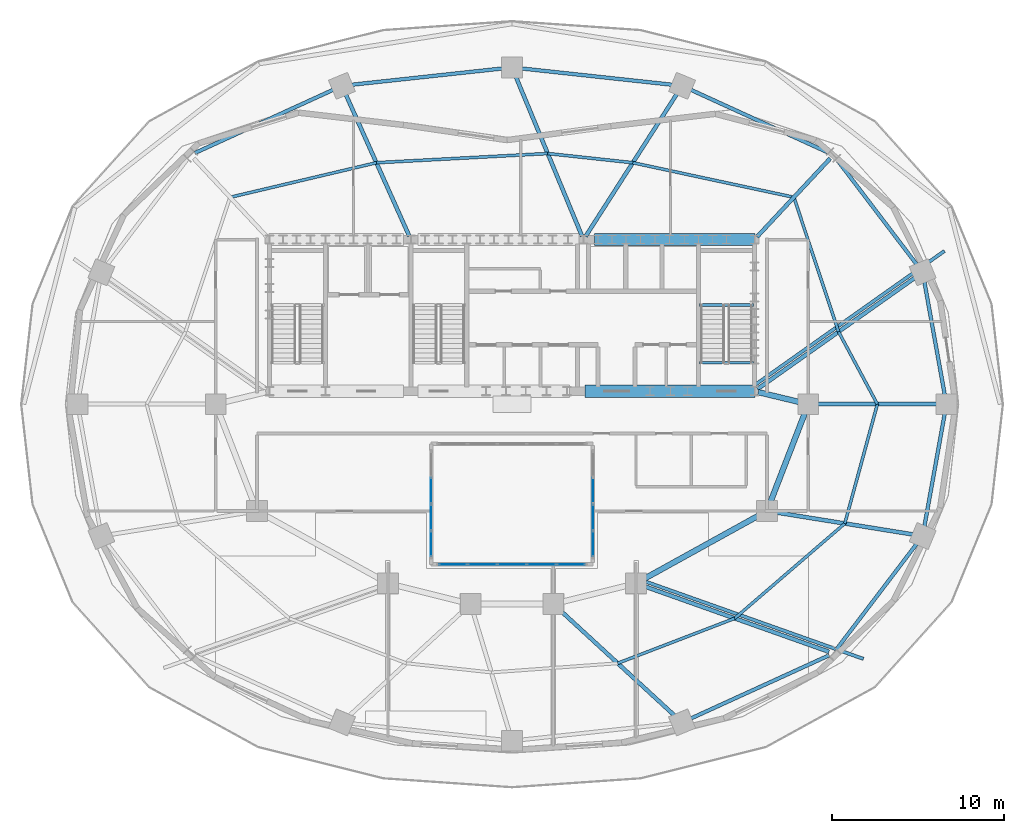
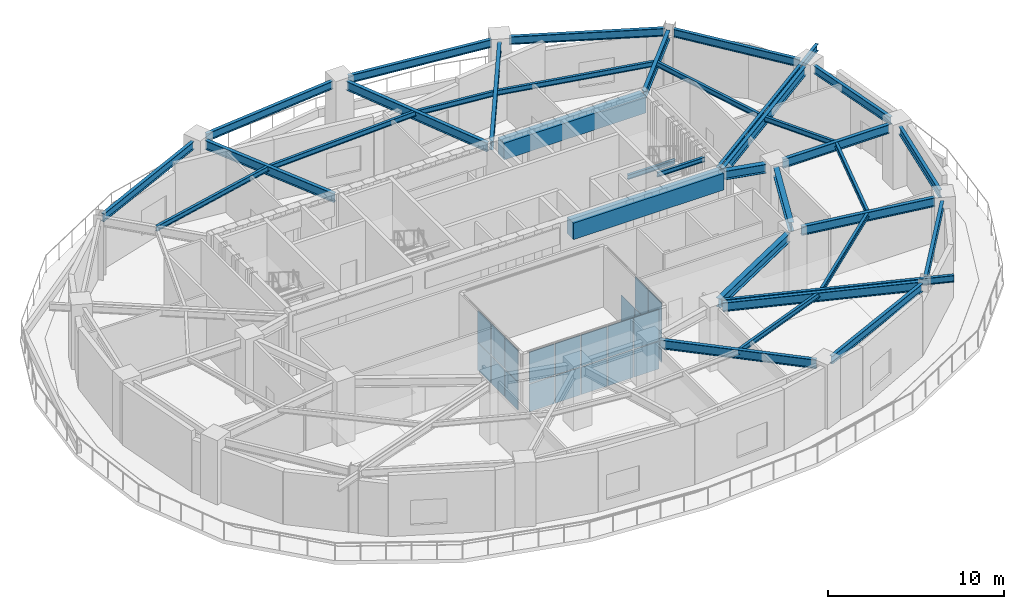
# One storey, part 4 of 11: 36 beams, 21 plates, 3 elements without a shape of their own.
"""IFC4 building model written with IfcOpenShell, lengths in metres."""

import ifcopenshell
import ifcopenshell.guid

model = None  # the IFC model being written
_history = None  # IfcOwnerHistory: only IFC2X3 demands one
_inside = {}  # id of a spatial element -> (the spatial element, [elements in it])
_under = {}  # id of a project, library or spatial element -> (it, [spatial elements below it])
_declared = {}  # id of a project -> (the project, [libraries it declares])
_typed = {}  # id of a type object -> (the type object, [elements of that type])
_made_of = {}  # id of a material, layer set ... -> (it, [elements and type objects made of it])


def new_model(schema):
    """Start an empty IFC model of exactly this schema.

    Asked for "IFC4X3", IfcOpenShell would pick the latest addendum, in which some entities
    have other attributes; the version numbers below select the first issue.
    IFC2X3 requires an IfcOwnerHistory on every rooted entity: one is made here for all.
    """
    global model, _history
    if schema == "IFC4X3":
        model = ifcopenshell.file(schema_version=(4, 3, 0, 0))
    else:
        model = ifcopenshell.file(schema=schema)
    _inside.clear()
    _under.clear()
    _declared.clear()
    _typed.clear()
    _made_of.clear()
    _history = None
    if model.schema == "IFC2X3":
        org = make("IfcOrganization", Name="unknown")
        user = make(
            "IfcPersonAndOrganization",
            ThePerson=make("IfcPerson", FamilyName="unknown"),
            TheOrganization=org,
        )
        app = make(
            "IfcApplication",
            ApplicationDeveloper=org,
            Version="unknown",
            ApplicationFullName="unknown",
            ApplicationIdentifier="unknown",
        )
        _history = make(
            "IfcOwnerHistory",
            OwningUser=user,
            OwningApplication=app,
            ChangeAction="ADDED",
            CreationDate=0,
        )
    return model


def make(cls, **values):
    """One entity of the class cls with the attributes given. An attribute that is None is left unset."""
    return model.create_entity(
        cls, **{name: value for name, value in values.items() if value is not None}
    )


def rooted(cls, **values):
    """An entity with a GlobalId (a new one), such as an element, a storey or a relation."""
    return make(cls, GlobalId=ifcopenshell.guid.new(), OwnerHistory=_history, **values)


def si_unit(unit_type, name, prefix=None):
    """IfcSIUnit, for example si_unit("LENGTHUNIT", "METRE", prefix="MILLI")."""
    return make("IfcSIUnit", UnitType=unit_type, Prefix=prefix, Name=name)


def assignment(units):
    """IfcUnitAssignment: the units of a project."""
    return None if units is None else make("IfcUnitAssignment", Units=units)


def point(xyz):
    """IfcCartesianPoint."""
    return None if xyz is None else make("IfcCartesianPoint", Coordinates=xyz)


def direction(xyz):
    """IfcDirection."""
    return None if xyz is None else make("IfcDirection", DirectionRatios=xyz)


def frame(location, z_axis=None, x_axis=None):
    """IfcAxis2Placement3D, a coordinate frame: its origin and axes. An axis left out is left unset."""
    return make(
        "IfcAxis2Placement3D",
        Location=point(location),
        Axis=direction(z_axis),
        RefDirection=direction(x_axis),
    )


def frame_2d(location, x_axis=None):
    """IfcAxis2Placement2D, a coordinate frame in the plane: its origin and x axis."""
    return make(
        "IfcAxis2Placement2D", Location=point(location), RefDirection=direction(x_axis)
    )


def origin():
    """The frame at (0, 0, 0) with its axes left unset."""
    return frame((0.0, 0.0, 0.0))


def origin_2d():
    """The frame at (0, 0) in the plane with its x axis left unset."""
    return frame_2d((0.0, 0.0))


def place(relative_to, where):
    """IfcLocalPlacement: puts the frame where relative to a parent placement (None: the world)."""
    return make(
        "IfcLocalPlacement", PlacementRelTo=relative_to, RelativePlacement=where
    )


def context(
    kind, dimensions, precision=None, world=None, true_north=None, identifier=None
):
    """IfcGeometricRepresentationContext, for example the 3D "Model" context."""
    return make(
        "IfcGeometricRepresentationContext",
        ContextIdentifier=identifier,
        ContextType=kind,
        CoordinateSpaceDimension=dimensions,
        Precision=precision,
        WorldCoordinateSystem=world,
        TrueNorth=true_north,
    )


def subcontext(parent, identifier, kind, view, scale=None):
    """IfcGeometricRepresentationSubContext, for example "Body" below "Model"."""
    return make(
        "IfcGeometricRepresentationSubContext",
        ContextIdentifier=identifier,
        ContextType=kind,
        ParentContext=parent,
        TargetScale=scale,
        TargetView=view,
    )


def project(units=None, contexts=None):
    """IfcProject with its units and contexts."""
    return rooted(
        "IfcProject",
        Name="project",
        RepresentationContexts=contexts,
        UnitsInContext=assignment(units),
    )


def spatial(cls, under=None, at=None, **own):
    """A site, building, storey or space (cls), placed at a placement, below another one or the project."""
    s = rooted(cls, ObjectPlacement=at, **own)
    if under is not None:
        _under.setdefault(under.id(), (under, []))[1].append(s)
    return s


def profile(cls, at=None, kind="AREA", **sizes):
    """A parametric profile (cls). Its sizes go by their IFC names, for example OverallWidth=200.0."""
    return make(cls, ProfileType=kind, Position=at, **sizes)


def rectangle(**sizes):
    """IfcRectangleProfileDef."""
    return profile("IfcRectangleProfileDef", **sizes)


def i_section(**sizes):
    """IfcIShapeProfileDef."""
    return profile("IfcIShapeProfileDef", **sizes)


def extrude(swept, where, along, depth):
    """IfcExtrudedAreaSolid: the profile swept, set in the frame where, extruded along a direction by depth."""
    return make(
        "IfcExtrudedAreaSolid",
        SweptArea=swept,
        Position=where,
        ExtrudedDirection=direction(along),
        Depth=depth,
    )


def shape(context_of_items, identifier, shape_type, items):
    """IfcShapeRepresentation: the items that make up one representation, for example the "Body"."""
    return make(
        "IfcShapeRepresentation",
        ContextOfItems=context_of_items,
        RepresentationIdentifier=identifier,
        RepresentationType=shape_type,
        Items=items,
    )


def material(Name=None, Category=None):
    """IfcMaterial."""
    return make("IfcMaterial", Name=Name, Category=Category)


def layer(
    of_material, thickness, ventilated=None, Name=None, Category=None, Priority=None
):
    """IfcMaterialLayer: one layer of a wall or slab, of a material (None: an air gap)."""
    return make(
        "IfcMaterialLayer",
        Material=of_material,
        LayerThickness=thickness,
        IsVentilated=ventilated,
        Name=Name,
        Category=Category,
        Priority=Priority,
    )


def layer_set(layers, Name=None):
    """IfcMaterialLayerSet."""
    return make("IfcMaterialLayerSet", MaterialLayers=layers, LayerSetName=Name)


def material_profile(
    of_material, cross_section, Name=None, Category=None, Priority=None
):
    """IfcMaterialProfile: a cross section and its material."""
    return make(
        "IfcMaterialProfile",
        Name=Name,
        Material=of_material,
        Profile=cross_section,
        Priority=Priority,
        Category=Category,
    )


def profile_set(profiles, Name=None, composite=None):
    """IfcMaterialProfileSet."""
    return make(
        "IfcMaterialProfileSet",
        Name=Name,
        MaterialProfiles=profiles,
        CompositeProfile=composite,
    )


def made_of(thing, what):
    """Note that an element or type object is made of a material, layer set ...; save() writes the relation."""
    if what is not None:
        _made_of.setdefault(what.id(), (what, []))[1].append(thing)
    return thing


def type_object(cls, material=None, **own):
    """A type object (cls), such as IfcWallType, which elements share."""
    return made_of(rooted(cls, **own), material)


def element(
    cls,
    number,
    at=None,
    inside=None,
    cuts=None,
    type_object=None,
    material=None,
    context=None,
    identifier="Body",
    shape_type=None,
    held_by="IfcProductDefinitionShape",
    body=None,
    shapes=None,
    **own,
):
    """One element of the class cls, such as IfcWall. Its Tag is "e" and its number.

    at: its placement. inside: the storey or other place that contains it. cuts: it is an
    opening in that element (IfcRelVoidsElement). A single representation is given by context,
    identifier, shape_type and body (its items); several are given by shapes. held_by: the class
    of the entity that holds the representations. save() writes the other relations.
    """
    e = rooted(cls, Tag="e%d" % number, ObjectPlacement=at, **own)
    if body is not None:
        shapes = [shape(context, identifier, shape_type, body)]
    if shapes is not None:
        e.Representation = make(held_by, Representations=shapes)
    if inside is not None:
        _inside.setdefault(inside.id(), (inside, []))[1].append(e)
    if cuts is not None:
        rooted(
            "IfcRelVoidsElement", RelatingBuildingElement=cuts, RelatedOpeningElement=e
        )
    if type_object is not None:
        _typed.setdefault(type_object.id(), (type_object, []))[1].append(e)
    return made_of(e, material)


def aggregate(whole, parts):
    """IfcRelAggregates: a whole, such as a stair, and the parts it consists of."""
    return rooted("IfcRelAggregates", RelatingObject=whole, RelatedObjects=parts)


def save(model, path):
    """Write the relations noted so far, then the file.

    IfcRelAggregates (storeys below a building ...), IfcRelContainedInSpatialStructure (elements
    in a storey), IfcRelDefinesByType, IfcRelAssociatesMaterial and IfcRelDeclares: one each for
    every whole, place, type object, material and project.
    """
    for whole, parts in _under.values():
        aggregate(whole, parts)
    for where, things in _inside.values():
        rooted(
            "IfcRelContainedInSpatialStructure",
            RelatedElements=things,
            RelatingStructure=where,
        )
    for kind, things in _typed.values():
        rooted("IfcRelDefinesByType", RelatedObjects=things, RelatingType=kind)
    for what, things in _made_of.values():
        rooted("IfcRelAssociatesMaterial", RelatedObjects=things, RelatingMaterial=what)
    for by, libraries in _declared.values():
        rooted("IfcRelDeclares", RelatingContext=by, RelatedDefinitions=libraries)
    model.write(path)


model = new_model("IFC4")

# Units and contexts
model_context = context("Model", 3, precision=1e-05, world=origin(), true_north=direction((0.0, 1.0)))
body_context = subcontext(model_context, "Body", "Model", "MODEL_VIEW")
ifc_project = project(units=[si_unit("LENGTHUNIT", "METRE"), si_unit("AREAUNIT", "SQUARE_METRE"), si_unit("VOLUMEUNIT", "CUBIC_METRE"), si_unit("PLANEANGLEUNIT", "RADIAN"), si_unit("MASSUNIT", "GRAM", prefix="KILO")], contexts=[model_context])

# Site, building, storey
site_placement = place(None, origin())
site = spatial("IfcSite", under=ifc_project, at=site_placement, CompositionType="ELEMENT")
building_placement = place(site_placement, origin())
building = spatial("IfcBuilding", under=site, at=building_placement, Name="Haldorwick Loom Tower", CompositionType="ELEMENT")
storey_placement = place(building_placement, frame((0.0, 0.0, 131.14990234375)))
storey = spatial("IfcBuildingStorey", under=building, at=storey_placement, Name="L35", CompositionType="ELEMENT", Elevation=131.14990234375)

# Beams
ifc_material_1 = material(Name="Steel CSA G40.21 350W", Category="steel")
ifc_material_profile_1 = material_profile(ifc_material_1, i_section(OverallWidth=0.193115234375, OverallDepth=0.466064453125, WebThickness=0.011474609375, FlangeThickness=0.01904296875, at=origin_2d()), Name="W460X97", Category="steel")
ifc_profile_set_1 = profile_set([ifc_material_profile_1], Name="Steel CSA G40.21 350W")
beam_type_1 = type_object("IfcBeamType", Name="STR-BM-BAL460", PredefinedType="BEAM", material=ifc_profile_set_1)
beam_1_placement = place(storey_placement, frame((43.78369140625, 15.68994140625, 4.027099609375), z_axis=(0.942447955832, -0.334352883266, 0.0), x_axis=(0.334352883266, 0.942447955832, 0.0)))
element("IfcBeam", 1, at=beam_1_placement, inside=storey, type_object=beam_type_1, Name="L35 Continuous Back-Spanned Balcony Beam 1", PredefinedType="BEAM", context=body_context, shape_type="SweptSolid", body=[
    extrude(i_section(OverallWidth=0.193115234375, OverallDepth=0.466064453125, WebThickness=0.011474609375, FlangeThickness=0.01904296875, at=origin_2d()), origin(), (0.0, 0.0, 1.0), 13.385009765625),
])
beam_2_placement = place(storey_placement, frame((50.092041015625, 27.1083984375, 4.027099609375), z_axis=(0.816570288691, 0.577246016554, 0.0), x_axis=(-0.577246016554, 0.816570288691, 0.0)))
element("IfcBeam", 2, at=beam_2_placement, inside=storey, type_object=beam_type_1, Name="L35 Continuous Back-Spanned Balcony Beam 4", PredefinedType="BEAM", context=body_context, shape_type="SweptSolid", body=[
    extrude(i_section(OverallWidth=0.193115234375, OverallDepth=0.466064453125, WebThickness=0.011474609375, FlangeThickness=0.01904296875, at=origin_2d()), origin(), (0.0, 0.0, 1.0), 13.485107421875),
])
ifc_material_2 = material(Name="Concrete C60 (60 MPa)", Category="concrete")
ifc_material_profile_2 = material_profile(ifc_material_2, rectangle(XDim=0.699951171875, YDim=1.14990234375, at=origin_2d()), Name="RC700X1150", Category="concrete")
ifc_profile_set_2 = profile_set([ifc_material_profile_2], Name="Concrete C60 (60 MPa)")
beam_type_2 = type_object("IfcBeamType", Name="STR-BM-CB1150", PredefinedType="LINTEL", material=ifc_profile_set_2)
beam_3_placement = place(storey_placement, frame((40.800048828125, 35.550048828125, 3.68505859375), z_axis=(1.0, 0.0, 0.0), x_axis=(0.0, 1.0, 0.0)))
element("IfcBeam", 3, at=beam_3_placement, inside=storey, type_object=beam_type_2, Name="L35 Core Coupling Beam CB-N3", PredefinedType="LINTEL", context=body_context, shape_type="SweptSolid", body=[
    extrude(rectangle(XDim=0.699951171875, YDim=1.14990234375, at=origin_2d()), origin(), (0.0, 0.0, 1.0), 9.300048828125),
])
beam_4_placement = place(storey_placement, frame((40.25, 26.75, 3.68505859375), z_axis=(1.0, 0.0, 0.0), x_axis=(0.0, 1.0, 0.0)))
element("IfcBeam", 4, at=beam_4_placement, inside=storey, type_object=beam_type_2, Name="L35 Core Coupling Beam CB-S3", PredefinedType="LINTEL", context=body_context, shape_type="SweptSolid", body=[
    extrude(rectangle(XDim=0.699951171875, YDim=1.14990234375, at=origin_2d()), origin(), (0.0, 0.0, 1.0), 9.85009765625),
])
ifc_material_profile_3 = material_profile(ifc_material_1, i_section(OverallWidth=0.172119140625, OverallDepth=0.35791015625, WebThickness=0.0078125, FlangeThickness=0.01318359375, at=origin_2d()), Name="W360X57", Category="steel")
ifc_profile_set_3 = profile_set([ifc_material_profile_3], Name="Steel CSA G40.21 350W")
beam_type_3 = type_object("IfcBeamType", Name="STR-BM-J360", PredefinedType="JOIST", material=ifc_profile_set_3)
beam_5_placement = place(storey_placement, frame((57.20849609375, 26.0, 4.0810546875), z_axis=(-0.472930162238, 0.881099915813, 0.0), x_axis=(-0.881099915813, -0.472930162238, 0.0)))
element("IfcBeam", 5, at=beam_5_placement, inside=storey, type_object=beam_type_3, Name="L35 Mid-Bay Secondary Joist 1", PredefinedType="JOIST", context=body_context, shape_type="SweptSolid", body=[
    extrude(i_section(OverallWidth=0.172119140625, OverallDepth=0.35791015625, WebThickness=0.0078125, FlangeThickness=0.01318359375, at=origin_2d()), origin(), (0.0, 0.0, 1.0), 4.76904296875),
])
beam_6_placement = place(storey_placement, frame((54.953125, 30.201904296875, 4.0810546875), z_axis=(-0.314980632705, 0.949098098734, 0.0), x_axis=(-0.949098098734, -0.314980632705, 0.0)))
element("IfcBeam", 6, at=beam_6_placement, inside=storey, type_object=beam_type_3, Name="L35 Mid-Bay Secondary Joist 2", PredefinedType="JOIST", context=body_context, shape_type="SweptSolid", body=[
    extrude(i_section(OverallWidth=0.172119140625, OverallDepth=0.35791015625, WebThickness=0.0078125, FlangeThickness=0.01318359375, at=origin_2d()), origin(), (0.0, 0.0, 1.0), 8.223876953125),
])
beam_7_placement = place(storey_placement, frame((52.36279296875, 38.007080078125, 4.0810546875), z_axis=(-0.977737366421, 0.209832414808, 0.0), x_axis=(-0.209832414808, -0.977737366421, 0.0)))
element("IfcBeam", 7, at=beam_7_placement, inside=storey, type_object=beam_type_3, Name="L35 Mid-Bay Secondary Joist 3", PredefinedType="JOIST", context=body_context, shape_type="SweptSolid", body=[
    extrude(i_section(OverallWidth=0.172119140625, OverallDepth=0.35791015625, WebThickness=0.0078125, FlangeThickness=0.01318359375, at=origin_2d()), origin(), (0.0, 0.0, 1.0), 9.56396484375),
])
beam_8_placement = place(storey_placement, frame((43.01171875, 40.013916015625, 4.0810546875), z_axis=(-0.994212584227, 0.107430616514, 0.0), x_axis=(-0.107430616514, -0.994212584227, 0.0)))
element("IfcBeam", 8, at=beam_8_placement, inside=storey, type_object=beam_type_3, Name="L35 Mid-Bay Secondary Joist 4", PredefinedType="JOIST", context=body_context, shape_type="SweptSolid", body=[
    extrude(i_section(OverallWidth=0.172119140625, OverallDepth=0.35791015625, WebThickness=0.0078125, FlangeThickness=0.01318359375, at=origin_2d()), origin(), (0.0, 0.0, 1.0), 4.965576171875),
])
beam_9_placement = place(storey_placement, frame((38.074951171875, 40.54736328125, 4.0810546875), z_axis=(-0.998564927415, -0.053554511828, 0.0), x_axis=(0.053554511828, -0.998564927415, 0.0)))
element("IfcBeam", 9, at=beam_9_placement, inside=storey, type_object=beam_type_3, Name="L35 Mid-Bay Secondary Joist 5", PredefinedType="JOIST", context=body_context, shape_type="SweptSolid", body=[
    extrude(i_section(OverallWidth=0.172119140625, OverallDepth=0.35791015625, WebThickness=0.0078125, FlangeThickness=0.01318359375, at=origin_2d()), origin(), (0.0, 0.0, 1.0), 9.9609375),
])
beam_10_placement = place(storey_placement, frame((28.12841796875, 40.013916015625, 4.0810546875), z_axis=(-0.973189168086, -0.230006180612, 0.0), x_axis=(0.230006180612, -0.973189168086, 0.0)))
element("IfcBeam", 10, at=beam_10_placement, inside=storey, type_object=beam_type_3, Name="L35 Mid-Bay Secondary Joist 6", PredefinedType="JOIST", context=body_context, shape_type="SweptSolid", body=[
    extrude(i_section(OverallWidth=0.172119140625, OverallDepth=0.35791015625, WebThickness=0.0078125, FlangeThickness=0.01318359375, at=origin_2d()), origin(), (0.0, 0.0, 1.0), 8.72509765625),
])
beam_11_placement = place(storey_placement, frame((42.13671875, 10.961181640625, 4.0810546875), z_axis=(0.933586737031, 0.358351509609, 0.0), x_axis=(-0.358351509609, 0.933586737031, 0.0)))
element("IfcBeam", 11, at=beam_11_placement, inside=storey, type_object=beam_type_3, Name="L35 Mid-Bay Secondary Joist 14", PredefinedType="JOIST", context=body_context, shape_type="SweptSolid", body=[
    extrude(i_section(OverallWidth=0.172119140625, OverallDepth=0.35791015625, WebThickness=0.0078125, FlangeThickness=0.01318359375, at=origin_2d()), origin(), (0.0, 0.0, 1.0), 7.274169921875),
])
beam_12_placement = place(storey_placement, frame((48.927734375, 13.56787109375, 4.0810546875), z_axis=(0.75763401328, 0.652679631918, 0.0), x_axis=(-0.652679631918, 0.75763401328, 0.0)))
element("IfcBeam", 12, at=beam_12_placement, inside=storey, type_object=beam_type_3, Name="L35 Mid-Bay Secondary Joist 15", PredefinedType="JOIST", context=body_context, shape_type="SweptSolid", body=[
    extrude(i_section(OverallWidth=0.172119140625, OverallDepth=0.35791015625, WebThickness=0.0078125, FlangeThickness=0.01318359375, at=origin_2d()), origin(), (0.0, 0.0, 1.0), 8.4345703125),
])
beam_13_placement = place(storey_placement, frame((55.318115234375, 19.072998046875, 4.0810546875), z_axis=(0.263272762578, 0.964721437766, 0.0), x_axis=(-0.964721437766, 0.263272762578, 0.0)))
element("IfcBeam", 13, at=beam_13_placement, inside=storey, type_object=beam_type_3, Name="L35 Mid-Bay Secondary Joist 16", PredefinedType="JOIST", context=body_context, shape_type="SweptSolid", body=[
    extrude(i_section(OverallWidth=0.172119140625, OverallDepth=0.35791015625, WebThickness=0.0078125, FlangeThickness=0.01318359375, at=origin_2d()), origin(), (0.0, 0.0, 1.0), 7.180419921875),
])
ifc_material_profile_4 = material_profile(ifc_material_1, i_section(OverallWidth=0.2119140625, OverallDepth=0.5439453125, WebThickness=0.01318359375, FlangeThickness=0.021240234375, at=origin_2d()), Name="W530X123", Category="steel")
ifc_profile_set_4 = profile_set([ifc_material_profile_4], Name="Steel CSA G40.21 350W")
beam_type_4 = type_object("IfcBeamType", Name="STR-BM-SP530", PredefinedType="SPANDREL", material=ifc_profile_set_4)
beam_14_placement = place(storey_placement, frame((61.124755859375, 26.51171875, 3.988037109375), z_axis=(-0.177558730702, 0.984110205796, 0.0), x_axis=(-0.984110205796, -0.177558730702, 0.0)))
element("IfcBeam", 14, at=beam_14_placement, inside=storey, type_object=beam_type_4, Name="L35 Perimeter Spandrel 1", PredefinedType="SPANDREL", context=body_context, shape_type="SweptSolid", body=[
    extrude(i_section(OverallWidth=0.2119140625, OverallDepth=0.5439453125, WebThickness=0.01318359375, FlangeThickness=0.021240234375, at=origin_2d()), origin(), (0.0, 0.0, 1.0), 6.737548828125),
])
beam_15_placement = place(storey_placement, frame((59.521240234375, 34.067626953125, 3.988037109375), z_axis=(-0.605421356486, 0.795905133236, 0.0), x_axis=(-0.795905133236, -0.605421356486, 0.0)))
element("IfcBeam", 15, at=beam_15_placement, inside=storey, type_object=beam_type_4, Name="L35 Perimeter Spandrel 2", PredefinedType="SPANDREL", context=body_context, shape_type="SweptSolid", body=[
    extrude(i_section(OverallWidth=0.2119140625, OverallDepth=0.5439453125, WebThickness=0.01318359375, FlangeThickness=0.021240234375, at=origin_2d()), origin(), (0.0, 0.0, 1.0), 7.761962890625),
])
beam_16_placement = place(storey_placement, frame((54.405517578125, 40.57861328125, 3.988037109375), z_axis=(-0.909534296496, 0.415628877121, 0.0), x_axis=(-0.415628877121, -0.909534296496, 0.0)))
element("IfcBeam", 16, at=beam_16_placement, inside=storey, type_object=beam_type_4, Name="L35 Perimeter Spandrel 3", PredefinedType="SPANDREL", context=body_context, shape_type="SweptSolid", body=[
    extrude(i_section(OverallWidth=0.2119140625, OverallDepth=0.5439453125, WebThickness=0.01318359375, FlangeThickness=0.021240234375, at=origin_2d()), origin(), (0.0, 0.0, 1.0), 8.86083984375),
])
for number, where, z_axis, x_axis, name in (
    (17, (45.356201171875, 44.533447265625, 3.988037109375), (-0.994210140187, 0.107453232386, 0.0), (-0.107453232386, -0.994210140187, 0.0), "L35 Perimeter Spandrel 4"),
    (18, (35.48291015625, 45.48876953125, 3.988037109375), (-0.994210140187, -0.107453232386, 0.0), (0.107453232386, -0.994210140187, 0.0), "L35 Perimeter Spandrel 5"),
):
    element("IfcBeam", number, at=place(storey_placement, frame(where, z_axis=z_axis, x_axis=x_axis)), inside=storey, type_object=beam_type_4, Name=name, PredefinedType="SPANDREL", context=body_context, shape_type="SweptSolid", body=[
        extrude(i_section(OverallWidth=0.2119140625, OverallDepth=0.5439453125, WebThickness=0.01318359375, FlangeThickness=0.021240234375, at=origin_2d()), origin(), (0.0, 0.0, 1.0), 8.890625),
    ])
for number, where, z_axis, x_axis, name in (
    (19, (25.65380859375, 44.261474609375, 3.988037109375), (-0.909534296496, -0.415628877121, 0.0), (0.415628877121, -0.909534296496, 0.0), "L35 Perimeter Spandrel 6"),
    (20, (46.34619140625, 7.738525390625, 3.988037109375), (0.909534296496, 0.415628877121, 0.0), (-0.415628877121, 0.909534296496, 0.0), "L35 Perimeter Spandrel 14"),
):
    element("IfcBeam", number, at=place(storey_placement, frame(where, z_axis=z_axis, x_axis=x_axis)), inside=storey, type_object=beam_type_4, Name=name, PredefinedType="SPANDREL", context=body_context, shape_type="SweptSolid", body=[
        extrude(i_section(OverallWidth=0.2119140625, OverallDepth=0.5439453125, WebThickness=0.01318359375, FlangeThickness=0.021240234375, at=origin_2d()), origin(), (0.0, 0.0, 1.0), 8.86083984375),
    ])
beam_17_placement = place(storey_placement, frame((54.822021484375, 11.754638671875, 3.988037109375), z_axis=(0.605421356486, 0.795905133236, 0.0), x_axis=(-0.795905133236, 0.605421356486, 0.0)))
element("IfcBeam", 21, at=beam_17_placement, inside=storey, type_object=beam_type_4, Name="L35 Perimeter Spandrel 15", PredefinedType="SPANDREL", context=body_context, shape_type="SweptSolid", body=[
    extrude(i_section(OverallWidth=0.2119140625, OverallDepth=0.5439453125, WebThickness=0.01318359375, FlangeThickness=0.021240234375, at=origin_2d()), origin(), (0.0, 0.0, 1.0), 7.761962890625),
])
beam_18_placement = place(storey_placement, frame((59.928466796875, 18.85791015625, 3.988037109375), z_axis=(0.177558730702, 0.984110205796, 0.0), x_axis=(-0.984110205796, 0.177558730702, 0.0)))
element("IfcBeam", 22, at=beam_18_placement, inside=storey, type_object=beam_type_4, Name="L35 Perimeter Spandrel 16", PredefinedType="SPANDREL", context=body_context, shape_type="SweptSolid", body=[
    extrude(i_section(OverallWidth=0.2119140625, OverallDepth=0.5439453125, WebThickness=0.01318359375, FlangeThickness=0.021240234375, at=origin_2d()), origin(), (0.0, 0.0, 1.0), 6.737548828125),
])
ifc_material_profile_5 = material_profile(ifc_material_1, i_section(OverallWidth=0.166015625, OverallDepth=0.31298828125, WebThickness=0.006591796875, FlangeThickness=0.01123046875, at=origin_2d()), Name="W310X45", Category="steel")
ifc_profile_set_5 = profile_set([ifc_material_profile_5], Name="Steel CSA G40.21 350W")
beam_type_5 = type_object("IfcBeamType", Name="STR-BM-STRM", PredefinedType="BEAM", material=ifc_profile_set_5)
for number, where, z_axis, x_axis, name in (
    (23, (46.889892578125, 28.39990234375, 4.103515625), (1.0, 0.0, 0.0), (0.0, 1.0, 0.0), "L35 Stair ST-02 Landing Edge Trimmer"),
    (24, (46.889892578125, 31.760009765625, 1.8935546875), (1.0, 0.0, 0.0), (0.0, 1.0, 0.0), "L35 Stair ST-02 Half-Landing Trimmer 1"),
):
    element("IfcBeam", number, at=place(storey_placement, frame(where, z_axis=z_axis, x_axis=x_axis)), inside=storey, type_object=beam_type_5, Name=name, PredefinedType="BEAM", context=body_context, shape_type="SweptSolid", body=[
        extrude(i_section(OverallWidth=0.166015625, OverallDepth=0.31298828125, WebThickness=0.006591796875, FlangeThickness=0.01123046875, at=origin_2d()), origin(), (0.0, 0.0, 1.0), 3.1201171875),
    ])
ifc_material_profile_6 = material_profile(ifc_material_1, i_section(OverallWidth=0.324951171875, OverallDepth=0.615966796875, WebThickness=0.013916015625, FlangeThickness=0.021484375, at=origin_2d()), Name="W610X174", Category="steel")
ifc_profile_set_6 = profile_set([ifc_material_profile_6], Name="Steel CSA G40.21 350W")
beam_type_6 = type_object("IfcBeamType", Name="STR-BM-W610A", PredefinedType="BEAM", material=ifc_profile_set_6)
beam_19_placement = place(storey_placement, frame((50.288818359375, 26.697509765625, 3.9521484375), z_axis=(0.97247055837, -0.233025777764, 0.0), x_axis=(0.233025777764, 0.97247055837, 0.0)))
element("IfcBeam", 25, at=beam_19_placement, inside=storey, type_object=beam_type_6, Name="L35 Inner Ring Girder 1", PredefinedType="BEAM", context=body_context, shape_type="SweptSolid", body=[
    extrude(i_section(OverallWidth=0.324951171875, OverallDepth=0.615966796875, WebThickness=0.013916015625, FlangeThickness=0.021484375, at=origin_2d()), origin(), (0.0, 0.0, 1.0), 2.4736328125),
])
beam_20_placement = place(storey_placement, frame((53.01220703125, 25.51513671875, 3.9521484375), z_axis=(-0.360964792353, -0.93257944363, 0.0), x_axis=(0.93257944363, -0.360964792353, 0.0)))
element("IfcBeam", 26, at=beam_20_placement, inside=storey, type_object=beam_type_6, Name="L35 Inner Ring Girder 2", PredefinedType="BEAM", context=body_context, shape_type="SweptSolid", body=[
    extrude(i_section(OverallWidth=0.324951171875, OverallDepth=0.615966796875, WebThickness=0.013916015625, FlangeThickness=0.021484375, at=origin_2d()), origin(), (0.0, 0.0, 1.0), 5.6083984375),
])
beam_21_placement = place(storey_placement, frame((50.344970703125, 19.548583984375, 3.9521484375), z_axis=(-0.875244382146, -0.483680960471, 0.0), x_axis=(0.483680960471, -0.875244382146, 0.0)))
element("IfcBeam", 27, at=beam_21_placement, inside=storey, type_object=beam_type_6, Name="L35 Inner Ring Girder 3", PredefinedType="BEAM", context=body_context, shape_type="SweptSolid", body=[
    extrude(i_section(OverallWidth=0.324951171875, OverallDepth=0.615966796875, WebThickness=0.013916015625, FlangeThickness=0.021484375, at=origin_2d()), origin(), (0.0, 0.0, 1.0), 7.6435546875),
])
ifc_material_profile_7 = material_profile(ifc_material_1, i_section(OverallWidth=0.22998046875, OverallDepth=0.616943359375, WebThickness=0.01318359375, FlangeThickness=0.022216796875, at=origin_2d()), Name="W610X140", Category="steel")
ifc_profile_set_7 = profile_set([ifc_material_profile_7], Name="Steel CSA G40.21 350W")
beam_type_7 = type_object("IfcBeamType", Name="STR-BM-W610B", PredefinedType="BEAM", material=ifc_profile_set_7)
beam_22_placement = place(storey_placement, frame((53.719970703125, 26.0, 3.95166015625), z_axis=(1.0, 0.0, 0.0), x_axis=(0.0, 1.0, 0.0)))
element("IfcBeam", 28, at=beam_22_placement, inside=storey, type_object=beam_type_7, Name="L35 Radial Floor Girder 1", PredefinedType="BEAM", context=body_context, shape_type="SweptSolid", body=[
    extrude(i_section(OverallWidth=0.22998046875, OverallDepth=0.616943359375, WebThickness=0.01318359375, FlangeThickness=0.022216796875, at=origin_2d()), origin(), (0.0, 0.0, 1.0), 6.97705078125),
])
beam_23_placement = place(storey_placement, frame((50.253662109375, 26.8798828125, 3.95166015625), z_axis=(0.816581567299, 0.577230061542, 0.0), x_axis=(-0.577230061542, 0.816581567299, 0.0)))
element("IfcBeam", 29, at=beam_23_placement, inside=storey, type_object=beam_type_7, Name="L35 Radial Floor Girder 2", PredefinedType="BEAM", context=body_context, shape_type="SweptSolid", body=[
    extrude(i_section(OverallWidth=0.22998046875, OverallDepth=0.616943359375, WebThickness=0.01318359375, FlangeThickness=0.022216796875, at=origin_2d()), origin(), (0.0, 0.0, 1.0), 11.215087890625),
])
beam_24_placement = place(storey_placement, frame((50.223388671875, 35.714599609375, 3.95166015625), z_axis=(0.682256728841, 0.731112683484, 0.0), x_axis=(-0.731112683484, 0.682256728841, 0.0)))
element("IfcBeam", 30, at=beam_24_placement, inside=storey, type_object=beam_type_7, Name="L35 Radial Floor Girder 3", PredefinedType="BEAM", context=body_context, shape_type="SweptSolid", body=[
    extrude(i_section(OverallWidth=0.22998046875, OverallDepth=0.616943359375, WebThickness=0.01318359375, FlangeThickness=0.022216796875, at=origin_2d()), origin(), (0.0, 0.0, 1.0), 6.221435546875),
])
beam_25_placement = place(storey_placement, frame((40.271484375, 35.739501953125, 3.95166015625), z_axis=(0.53969086509, 0.841863272829, 0.0), x_axis=(-0.841863272829, 0.53969086509, 0.0)))
element("IfcBeam", 31, at=beam_25_placement, inside=storey, type_object=beam_type_7, Name="L35 Radial Floor Girder 4", PredefinedType="BEAM", context=body_context, shape_type="SweptSolid", body=[
    extrude(i_section(OverallWidth=0.22998046875, OverallDepth=0.616943359375, WebThickness=0.01318359375, FlangeThickness=0.022216796875, at=origin_2d()), origin(), (0.0, 0.0, 1.0), 9.859375),
])
beam_26_placement = place(storey_placement, frame((40.063720703125, 35.7578125, 3.95166015625), z_axis=(-0.383472813848, 0.923552164764, 0.0), x_axis=(-0.923552164764, -0.383472813848, 0.0)))
element("IfcBeam", 32, at=beam_26_placement, inside=storey, type_object=beam_type_7, Name="L35 Radial Floor Girder 5", PredefinedType="BEAM", context=body_context, shape_type="SweptSolid", body=[
    extrude(i_section(OverallWidth=0.22998046875, OverallDepth=0.616943359375, WebThickness=0.01318359375, FlangeThickness=0.022216796875, at=origin_2d()), origin(), (0.0, 0.0, 1.0), 10.076904296875),
])
beam_27_placement = place(storey_placement, frame((30.037841796875, 35.75537109375, 3.95166015625), z_axis=(-0.409143536778, 0.912470035844, 0.0), x_axis=(-0.912470035844, -0.409143536778, 0.0)))
element("IfcBeam", 33, at=beam_27_placement, inside=storey, type_object=beam_type_7, Name="L35 Radial Floor Girder 6", PredefinedType="BEAM", context=body_context, shape_type="SweptSolid", body=[
    extrude(i_section(OverallWidth=0.22998046875, OverallDepth=0.616943359375, WebThickness=0.01318359375, FlangeThickness=0.022216796875, at=origin_2d()), origin(), (0.0, 0.0, 1.0), 9.0390625),
])
beam_28_placement = place(storey_placement, frame((38.78271484375, 14.0478515625, 3.95166015625), z_axis=(0.735810902934, -0.677187060658, 0.0), x_axis=(0.677187060658, 0.735810902934, 0.0)))
element("IfcBeam", 34, at=beam_28_placement, inside=storey, type_object=beam_type_7, Name="L35 Radial Floor Girder 14", PredefinedType="BEAM", context=body_context, shape_type="SweptSolid", body=[
    extrude(i_section(OverallWidth=0.22998046875, OverallDepth=0.616943359375, WebThickness=0.01318359375, FlangeThickness=0.022216796875, at=origin_2d()), origin(), (0.0, 0.0, 1.0), 9.1162109375),
])
beam_29_placement = place(storey_placement, frame((43.690185546875, 15.426025390625, 3.95166015625), z_axis=(0.9424463153, -0.334357507433, 0.0), x_axis=(0.334357507433, 0.9424463153, 0.0)))
element("IfcBeam", 35, at=beam_29_placement, inside=storey, type_object=beam_type_7, Name="L35 Radial Floor Girder 15", PredefinedType="BEAM", context=body_context, shape_type="SweptSolid", body=[
    extrude(i_section(OverallWidth=0.22998046875, OverallDepth=0.616943359375, WebThickness=0.01318359375, FlangeThickness=0.022216796875, at=origin_2d()), origin(), (0.0, 0.0, 1.0), 11.360107421875),
])
beam_30_placement = place(storey_placement, frame((51.3134765625, 19.71728515625, 3.95166015625), z_axis=(0.987308639475, -0.158813256432, 0.0), x_axis=(0.158813256432, 0.987308639475, 0.0)))
element("IfcBeam", 36, at=beam_30_placement, inside=storey, type_object=beam_type_7, Name="L35 Radial Floor Girder 16", PredefinedType="BEAM", context=body_context, shape_type="SweptSolid", body=[
    extrude(i_section(OverallWidth=0.22998046875, OverallDepth=0.616943359375, WebThickness=0.01318359375, FlangeThickness=0.022216796875, at=origin_2d()), origin(), (0.0, 0.0, 1.0), 8.1123046875),
])

# Curtain wall, plates
ifc_material_3 = material(Name="Thermally Broken Anodized Aluminium Curtain Wall Framing", Category="aluminium")
curtain_wall_type = type_object("IfcCurtainWallType", Name="ARC-CW-03", PredefinedType="NOTDEFINED", material=ifc_material_3)
curtain_wall_1_placement = place(storey_placement, origin())
curtain_wall_1 = element("IfcCurtainWall", 37, at=curtain_wall_1_placement, inside=storey, type_object=curtain_wall_type, Name="L35 Atrium Glazed Screen S", PredefinedType="NOTDEFINED")
ifc_material_4 = material(Name="Triple-Glazed Low-E Argon Insulated Glazing Unit", Category="glass")
ifc_layer = layer(ifc_material_4, 0.04296875, Name="Triple-Glazed Low-E Argon Insulated Glazing Unit", Category="glass")
ifc_layer_set = layer_set([ifc_layer], Name="Triple-Glazed Low-E Argon Insulated Glazing Unit")
plate_type = type_object("IfcPlateType", Name="ARC-CWP-03", PredefinedType="CURTAIN_PANEL", material=ifc_layer_set)
plate_1_placement = place(storey_placement, frame((39.423583984375, 16.699951171875, 0.066162109375), z_axis=(0.0, 0.0, 1.0), x_axis=(-1.0, 0.0, 0.0)))
plate_1 = element("IfcPlate", 38, at=plate_1_placement, type_object=plate_type, Name="CW-03 panel 1.1", PredefinedType="CURTAIN_PANEL", context=body_context, shape_type="SweptSolid", body=[
    extrude(rectangle(XDim=1.62109375, YDim=0.04296875, at=origin_2d()), origin(), (0.0, 0.0, 1.0), 1.90087890625),
])
plate_2_placement = place(storey_placement, frame((39.423583984375, 16.699951171875, 2.033203125), z_axis=(0.0, 0.0, 1.0), x_axis=(-1.0, 0.0, 0.0)))
plate_2 = element("IfcPlate", 39, at=plate_2_placement, type_object=plate_type, Name="CW-03 panel 1.2", PredefinedType="CURTAIN_PANEL", context=body_context, shape_type="SweptSolid", body=[
    extrude(rectangle(XDim=1.62109375, YDim=0.04296875, at=origin_2d()), origin(), (0.0, 0.0, 1.0), 2.160888671875),
])
plate_3_placement = place(storey_placement, frame((37.719970703125, 16.699951171875, 0.066162109375), z_axis=(0.0, 0.0, 1.0), x_axis=(-1.0, 0.0, 0.0)))
plate_3 = element("IfcPlate", 40, at=plate_3_placement, type_object=plate_type, Name="CW-03 panel 2.1", PredefinedType="CURTAIN_PANEL", context=body_context, shape_type="SweptSolid", body=[
    extrude(rectangle(XDim=1.654052734375, YDim=0.04296875, at=origin_2d()), origin(), (0.0, 0.0, 1.0), 1.90087890625),
])
plate_4_placement = place(storey_placement, frame((37.719970703125, 16.699951171875, 2.033203125), z_axis=(0.0, 0.0, 1.0), x_axis=(-1.0, 0.0, 0.0)))
plate_4 = element("IfcPlate", 41, at=plate_4_placement, type_object=plate_type, Name="CW-03 panel 2.2", PredefinedType="CURTAIN_PANEL", context=body_context, shape_type="SweptSolid", body=[
    extrude(rectangle(XDim=1.654052734375, YDim=0.04296875, at=origin_2d()), origin(), (0.0, 0.0, 1.0), 2.160888671875),
])
plate_5_placement = place(storey_placement, frame((36.0, 16.699951171875, 0.066162109375), z_axis=(0.0, 0.0, 1.0), x_axis=(-1.0, 0.0, 0.0)))
plate_5 = element("IfcPlate", 42, at=plate_5_placement, type_object=plate_type, Name="CW-03 panel 3.1", PredefinedType="CURTAIN_PANEL", context=body_context, shape_type="SweptSolid", body=[
    extrude(rectangle(XDim=1.654052734375, YDim=0.04296875, at=origin_2d()), origin(), (0.0, 0.0, 1.0), 1.90087890625),
])
plate_6_placement = place(storey_placement, frame((36.0, 16.699951171875, 2.033203125), z_axis=(0.0, 0.0, 1.0), x_axis=(-1.0, 0.0, 0.0)))
plate_6 = element("IfcPlate", 43, at=plate_6_placement, type_object=plate_type, Name="CW-03 panel 3.2", PredefinedType="CURTAIN_PANEL", context=body_context, shape_type="SweptSolid", body=[
    extrude(rectangle(XDim=1.654052734375, YDim=0.04296875, at=origin_2d()), origin(), (0.0, 0.0, 1.0), 2.160888671875),
])
plate_7_placement = place(storey_placement, frame((34.280029296875, 16.699951171875, 0.066162109375), z_axis=(0.0, 0.0, 1.0), x_axis=(-1.0, 0.0, 0.0)))
plate_7 = element("IfcPlate", 44, at=plate_7_placement, type_object=plate_type, Name="CW-03 panel 4.1", PredefinedType="CURTAIN_PANEL", context=body_context, shape_type="SweptSolid", body=[
    extrude(rectangle(XDim=1.654052734375, YDim=0.04296875, at=origin_2d()), origin(), (0.0, 0.0, 1.0), 1.90087890625),
])
plate_8_placement = place(storey_placement, frame((34.280029296875, 16.699951171875, 2.033203125), z_axis=(0.0, 0.0, 1.0), x_axis=(-1.0, 0.0, 0.0)))
plate_8 = element("IfcPlate", 45, at=plate_8_placement, type_object=plate_type, Name="CW-03 panel 4.2", PredefinedType="CURTAIN_PANEL", context=body_context, shape_type="SweptSolid", body=[
    extrude(rectangle(XDim=1.654052734375, YDim=0.04296875, at=origin_2d()), origin(), (0.0, 0.0, 1.0), 2.160888671875),
])
plate_9_placement = place(storey_placement, frame((32.576416015625, 16.699951171875, 0.066162109375), z_axis=(0.0, 0.0, 1.0), x_axis=(-1.0, 0.0, 0.0)))
plate_9 = element("IfcPlate", 46, at=plate_9_placement, type_object=plate_type, Name="CW-03 panel 5.1", PredefinedType="CURTAIN_PANEL", context=body_context, shape_type="SweptSolid", body=[
    extrude(rectangle(XDim=1.62109375, YDim=0.04296875, at=origin_2d()), origin(), (0.0, 0.0, 1.0), 1.90087890625),
])
plate_10_placement = place(storey_placement, frame((32.576416015625, 16.699951171875, 2.033203125), z_axis=(0.0, 0.0, 1.0), x_axis=(-1.0, 0.0, 0.0)))
plate_10 = element("IfcPlate", 47, at=plate_10_placement, type_object=plate_type, Name="CW-03 panel 5.2", PredefinedType="CURTAIN_PANEL", context=body_context, shape_type="SweptSolid", body=[
    extrude(rectangle(XDim=1.62109375, YDim=0.04296875, at=origin_2d()), origin(), (0.0, 0.0, 1.0), 2.160888671875),
])
aggregate(curtain_wall_1, [plate_1, plate_2, plate_3, plate_4, plate_5, plate_6, plate_7, plate_8, plate_9, plate_10])

curtain_wall_2_placement = place(storey_placement, origin())
curtain_wall_2 = element("IfcCurtainWall", 48, at=curtain_wall_2_placement, inside=storey, type_object=curtain_wall_type, Name="L35 Atrium Glazed Screen W", PredefinedType="NOTDEFINED")
plate_11_placement = place(storey_placement, frame((31.300048828125, 17.8916015625, 0.066162109375), z_axis=(0.0, 0.0, 1.0), x_axis=(0.0, 1.0, 0.0)))
plate_11 = element("IfcPlate", 49, at=plate_11_placement, type_object=plate_type, Name="CW-03 panel 1.1", PredefinedType="CURTAIN_PANEL", context=body_context, shape_type="SweptSolid", body=[
    extrude(rectangle(XDim=1.450927734375, YDim=0.04296875, at=origin_2d()), origin(), (0.0, 0.0, 1.0), 1.90087890625),
])
plate_12_placement = place(storey_placement, frame((31.300048828125, 17.8916015625, 2.033203125), z_axis=(0.0, 0.0, 1.0), x_axis=(0.0, 1.0, 0.0)))
plate_12 = element("IfcPlate", 50, at=plate_12_placement, type_object=plate_type, Name="CW-03 panel 1.2", PredefinedType="CURTAIN_PANEL", context=body_context, shape_type="SweptSolid", body=[
    extrude(rectangle(XDim=1.450927734375, YDim=0.04296875, at=origin_2d()), origin(), (0.0, 0.0, 1.0), 2.160888671875),
])
plate_13_placement = place(storey_placement, frame((31.300048828125, 19.425048828125, 0.066162109375), z_axis=(0.0, 0.0, 1.0), x_axis=(0.0, 1.0, 0.0)))
plate_13 = element("IfcPlate", 51, at=plate_13_placement, type_object=plate_type, Name="CW-03 panel 2.1", PredefinedType="CURTAIN_PANEL", context=body_context, shape_type="SweptSolid", body=[
    extrude(rectangle(XDim=1.48388671875, YDim=0.04296875, at=origin_2d()), origin(), (0.0, 0.0, 1.0), 1.90087890625),
])
plate_14_placement = place(storey_placement, frame((31.300048828125, 19.425048828125, 2.033203125), z_axis=(0.0, 0.0, 1.0), x_axis=(0.0, 1.0, 0.0)))
plate_14 = element("IfcPlate", 52, at=plate_14_placement, type_object=plate_type, Name="CW-03 panel 2.2", PredefinedType="CURTAIN_PANEL", context=body_context, shape_type="SweptSolid", body=[
    extrude(rectangle(XDim=1.48388671875, YDim=0.04296875, at=origin_2d()), origin(), (0.0, 0.0, 1.0), 2.160888671875),
])
plate_15_placement = place(storey_placement, frame((31.300048828125, 20.97509765625, 0.066162109375), z_axis=(0.0, 0.0, 1.0), x_axis=(0.0, 1.0, 0.0)))
plate_15 = element("IfcPlate", 53, at=plate_15_placement, type_object=plate_type, Name="CW-03 panel 3.1", PredefinedType="CURTAIN_PANEL", context=body_context, shape_type="SweptSolid", body=[
    extrude(rectangle(XDim=1.48388671875, YDim=0.04296875, at=origin_2d()), origin(), (0.0, 0.0, 1.0), 1.90087890625),
])
plate_16_placement = place(storey_placement, frame((31.300048828125, 20.97509765625, 2.033203125), z_axis=(0.0, 0.0, 1.0), x_axis=(0.0, 1.0, 0.0)))
plate_16 = element("IfcPlate", 54, at=plate_16_placement, type_object=plate_type, Name="CW-03 panel 3.2", PredefinedType="CURTAIN_PANEL", context=body_context, shape_type="SweptSolid", body=[
    extrude(rectangle(XDim=1.48388671875, YDim=0.04296875, at=origin_2d()), origin(), (0.0, 0.0, 1.0), 2.160888671875),
])
aggregate(curtain_wall_2, [plate_11, plate_12, plate_13, plate_14, plate_15, plate_16])

curtain_wall_3_placement = place(storey_placement, origin())
curtain_wall_3 = element("IfcCurtainWall", 55, at=curtain_wall_3_placement, inside=storey, type_object=curtain_wall_type, Name="L35 Atrium Glazed Screen E", PredefinedType="NOTDEFINED")
plate_17_placement = place(storey_placement, frame((40.699951171875, 20.97509765625, 0.066162109375), z_axis=(0.0, 0.0, 1.0), x_axis=(0.0, -1.0, 0.0)))
plate_17 = element("IfcPlate", 56, at=plate_17_placement, type_object=plate_type, Name="CW-03 panel 2.1", PredefinedType="CURTAIN_PANEL", context=body_context, shape_type="SweptSolid", body=[
    extrude(rectangle(XDim=1.48388671875, YDim=0.04296875, at=origin_2d()), origin(), (0.0, 0.0, 1.0), 1.90087890625),
])
plate_18_placement = place(storey_placement, frame((40.699951171875, 19.425048828125, 0.066162109375), z_axis=(0.0, 0.0, 1.0), x_axis=(0.0, -1.0, 0.0)))
plate_18 = element("IfcPlate", 57, at=plate_18_placement, type_object=plate_type, Name="CW-03 panel 3.1", PredefinedType="CURTAIN_PANEL", context=body_context, shape_type="SweptSolid", body=[
    extrude(rectangle(XDim=1.48388671875, YDim=0.04296875, at=origin_2d()), origin(), (0.0, 0.0, 1.0), 1.90087890625),
])
plate_19_placement = place(storey_placement, frame((40.699951171875, 19.425048828125, 2.033203125), z_axis=(0.0, 0.0, 1.0), x_axis=(0.0, -1.0, 0.0)))
plate_19 = element("IfcPlate", 58, at=plate_19_placement, type_object=plate_type, Name="CW-03 panel 3.2", PredefinedType="CURTAIN_PANEL", context=body_context, shape_type="SweptSolid", body=[
    extrude(rectangle(XDim=1.48388671875, YDim=0.04296875, at=origin_2d()), origin(), (0.0, 0.0, 1.0), 2.160888671875),
])
plate_20_placement = place(storey_placement, frame((40.699951171875, 17.8916015625, 0.066162109375), z_axis=(0.0, 0.0, 1.0), x_axis=(0.0, -1.0, 0.0)))
plate_20 = element("IfcPlate", 59, at=plate_20_placement, type_object=plate_type, Name="CW-03 panel 4.1", PredefinedType="CURTAIN_PANEL", context=body_context, shape_type="SweptSolid", body=[
    extrude(rectangle(XDim=1.450927734375, YDim=0.04296875, at=origin_2d()), origin(), (0.0, 0.0, 1.0), 1.90087890625),
])
plate_21_placement = place(storey_placement, frame((40.699951171875, 17.8916015625, 2.033203125), z_axis=(0.0, 0.0, 1.0), x_axis=(0.0, -1.0, 0.0)))
plate_21 = element("IfcPlate", 60, at=plate_21_placement, type_object=plate_type, Name="CW-03 panel 4.2", PredefinedType="CURTAIN_PANEL", context=body_context, shape_type="SweptSolid", body=[
    extrude(rectangle(XDim=1.450927734375, YDim=0.04296875, at=origin_2d()), origin(), (0.0, 0.0, 1.0), 2.160888671875),
])
aggregate(curtain_wall_3, [plate_17, plate_18, plate_19, plate_20, plate_21])

save(model, "model.ifc")
